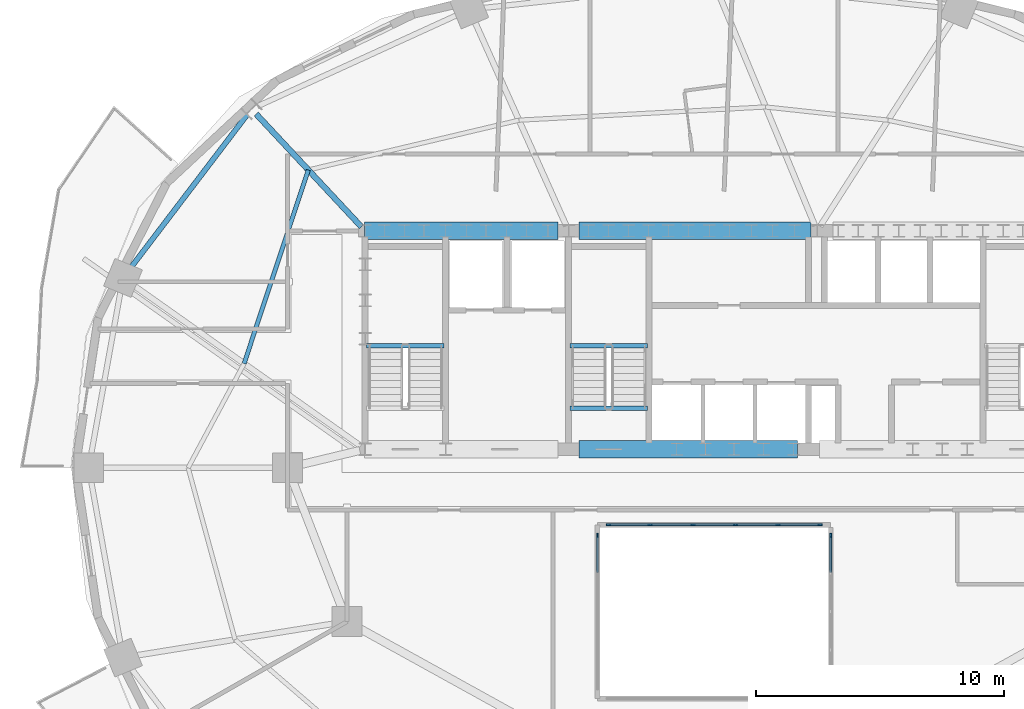
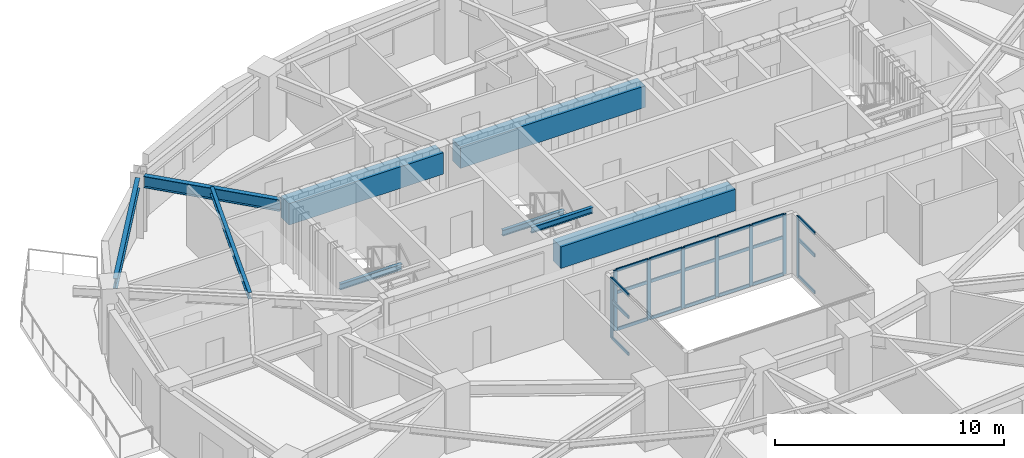
# One storey, part 3 of 13: 29 members, 9 beams, 3 elements without a shape of their own.
"""IFC4 building model written with IfcOpenShell, lengths in metres."""

from ifc_helpers import new_model, si_unit, direction, frame, origin, origin_2d, place, context, subcontext, project, spatial, rectangle, i_section, extrude, material, material_profile, profile_set, type_object, element, aggregate, save


model = new_model("IFC4")

# Units and contexts
model_context = context("Model", 3, precision=1e-05, world=origin(), true_north=direction((0.0, 1.0)))
body_context = subcontext(model_context, "Body", "Model", "MODEL_VIEW")
ifc_project = project(units=[si_unit("LENGTHUNIT", "METRE"), si_unit("AREAUNIT", "SQUARE_METRE"), si_unit("VOLUMEUNIT", "CUBIC_METRE"), si_unit("PLANEANGLEUNIT", "RADIAN"), si_unit("MASSUNIT", "GRAM", prefix="KILO")], contexts=[model_context])

# Site, building, storey
site_placement = place(None, origin())
site = spatial("IfcSite", under=ifc_project, at=site_placement, CompositionType="ELEMENT")
building_placement = place(site_placement, origin())
building = spatial("IfcBuilding", under=site, at=building_placement, Name="Haldorwick Loom Tower", CompositionType="ELEMENT")
storey_placement = place(building_placement, frame((0.0, 0.0, 139.10009765625)))
storey = spatial("IfcBuildingStorey", under=building, at=storey_placement, Name="L37", CompositionType="ELEMENT", Elevation=139.10009765625)

# Curtain wall, members
ifc_material_1 = material(Name="Thermally Broken Anodized Aluminium Curtain Wall Framing", Category="aluminium")
curtain_wall_type = type_object("IfcCurtainWallType", Name="ARC-CW-03", PredefinedType="NOTDEFINED", material=ifc_material_1)
curtain_wall_1_placement = place(storey_placement, origin())
curtain_wall_1 = element("IfcCurtainWall", 1, at=curtain_wall_1_placement, inside=storey, type_object=curtain_wall_type, Name="L37 Atrium Glazed Screen N", PredefinedType="NOTDEFINED")
ifc_material_profile_1 = material_profile(ifc_material_1, rectangle(XDim=0.06591796875, YDim=0.18505859375, at=origin_2d()), Name="ALU_MUL_66X185", Category="aluminium")
ifc_profile_set_1 = profile_set([ifc_material_profile_1], Name="Thermally Broken Anodized Aluminium Curtain Wall Framing")
member_type_1 = type_object("IfcMemberType", Name="ARC-CWM-03", PredefinedType="MULLION", material=ifc_profile_set_1)
member_1_placement = place(storey_placement, frame((31.73291015625, 23.699951171875, 0.0), z_axis=(0.0, 0.0, 1.0), x_axis=(0.0, 1.0, 0.0)))
member_1 = element("IfcMember", 2, at=member_1_placement, type_object=member_type_1, Name="CW-03 mullion 1", PredefinedType="MULLION", context=body_context, shape_type="SweptSolid", body=[
    extrude(rectangle(XDim=0.06591796875, YDim=0.18505859375, at=origin_2d()), origin(), (0.0, 0.0, 1.0), 3.2099609375),
])
member_2_placement = place(storey_placement, frame((33.419921875, 23.699951171875, 0.0), z_axis=(0.0, 0.0, 1.0), x_axis=(0.0, 1.0, 0.0)))
member_2 = element("IfcMember", 3, at=member_2_placement, type_object=member_type_1, Name="CW-03 mullion 2", PredefinedType="MULLION", context=body_context, shape_type="SweptSolid", body=[
    extrude(rectangle(XDim=0.06591796875, YDim=0.18505859375, at=origin_2d()), origin(), (0.0, 0.0, 1.0), 3.2099609375),
])
member_3_placement = place(storey_placement, frame((35.139892578125, 23.699951171875, 0.0), z_axis=(0.0, 0.0, 1.0), x_axis=(0.0, 1.0, 0.0)))
member_3 = element("IfcMember", 4, at=member_3_placement, type_object=member_type_1, Name="CW-03 mullion 3", PredefinedType="MULLION", context=body_context, shape_type="SweptSolid", body=[
    extrude(rectangle(XDim=0.06591796875, YDim=0.18505859375, at=origin_2d()), origin(), (0.0, 0.0, 1.0), 3.2099609375),
])
member_4_placement = place(storey_placement, frame((36.860107421875, 23.699951171875, 0.0), z_axis=(0.0, 0.0, 1.0), x_axis=(0.0, 1.0, 0.0)))
member_4 = element("IfcMember", 5, at=member_4_placement, type_object=member_type_1, Name="CW-03 mullion 4", PredefinedType="MULLION", context=body_context, shape_type="SweptSolid", body=[
    extrude(rectangle(XDim=0.06591796875, YDim=0.18505859375, at=origin_2d()), origin(), (0.0, 0.0, 1.0), 3.2099609375),
])
member_5_placement = place(storey_placement, frame((38.580078125, 23.699951171875, 0.0), z_axis=(0.0, 0.0, 1.0), x_axis=(0.0, 1.0, 0.0)))
member_5 = element("IfcMember", 6, at=member_5_placement, type_object=member_type_1, Name="CW-03 mullion 5", PredefinedType="MULLION", context=body_context, shape_type="SweptSolid", body=[
    extrude(rectangle(XDim=0.06591796875, YDim=0.18505859375, at=origin_2d()), origin(), (0.0, 0.0, 1.0), 3.2099609375),
])
member_6_placement = place(storey_placement, frame((40.26708984375, 23.699951171875, 0.0), z_axis=(0.0, 0.0, 1.0), x_axis=(0.0, 1.0, 0.0)))
member_6 = element("IfcMember", 7, at=member_6_placement, type_object=member_type_1, Name="CW-03 mullion 6", PredefinedType="MULLION", context=body_context, shape_type="SweptSolid", body=[
    extrude(rectangle(XDim=0.06591796875, YDim=0.18505859375, at=origin_2d()), origin(), (0.0, 0.0, 1.0), 3.2099609375),
])

# Curtain wall, member
curtain_wall_2_placement = place(storey_placement, origin())
curtain_wall_2 = element("IfcCurtainWall", 8, at=curtain_wall_2_placement, inside=storey, type_object=curtain_wall_type, Name="L37 Atrium Glazed Screen W", PredefinedType="NOTDEFINED")
member_7_placement = place(storey_placement, frame((31.300048828125, 23.26708984375, 0.0), z_axis=(0.0, 0.0, 1.0), x_axis=(-1.0, 0.0, 0.0)))
member_7 = element("IfcMember", 9, at=member_7_placement, type_object=member_type_1, Name="CW-03 mullion 5", PredefinedType="MULLION", context=body_context, shape_type="SweptSolid", body=[
    extrude(rectangle(XDim=0.06591796875, YDim=0.18505859375, at=origin_2d()), origin(), (0.0, 0.0, 1.0), 3.2099609375),
])

curtain_wall_3_placement = place(storey_placement, origin())
curtain_wall_3 = element("IfcCurtainWall", 10, at=curtain_wall_3_placement, inside=storey, type_object=curtain_wall_type, Name="L37 Atrium Glazed Screen E", PredefinedType="NOTDEFINED")
member_8_placement = place(storey_placement, frame((40.699951171875, 23.26708984375, 0.0), z_axis=(0.0, 0.0, 1.0), x_axis=(1.0, 0.0, 0.0)))
member_8 = element("IfcMember", 11, at=member_8_placement, type_object=member_type_1, Name="CW-03 mullion 1", PredefinedType="MULLION", context=body_context, shape_type="SweptSolid", body=[
    extrude(rectangle(XDim=0.06591796875, YDim=0.18505859375, at=origin_2d()), origin(), (0.0, 0.0, 1.0), 3.2099609375),
])

# Member
ifc_material_profile_2 = material_profile(ifc_material_1, rectangle(XDim=0.06591796875, YDim=0.1650390625, at=origin_2d()), Name="ALU_TRN_66X165", Category="aluminium")
ifc_profile_set_2 = profile_set([ifc_material_profile_2], Name="Thermally Broken Anodized Aluminium Curtain Wall Framing")
member_type_2 = type_object("IfcMemberType", Name="ARC-CWT-03", PredefinedType="USERDEFINED", material=ifc_profile_set_2)
member_9_placement = place(storey_placement, frame((31.76611328125, 23.699951171875, 0.032958984375), z_axis=(1.0, 0.0, 0.0), x_axis=(0.0, 1.0, 0.0)))
member_9 = element("IfcMember", 12, at=member_9_placement, type_object=member_type_2, Name="CW-03 transom 1.1", ObjectType="TRANSOM", PredefinedType="USERDEFINED", context=body_context, shape_type="SweptSolid", body=[
    extrude(rectangle(XDim=0.06591796875, YDim=0.1650390625, at=origin_2d()), origin(), (0.0, 0.0, 1.0), 1.620849609375),
])

member_10_placement = place(storey_placement, frame((31.76611328125, 23.699951171875, 2.0), z_axis=(1.0, 0.0, 0.0), x_axis=(0.0, 1.0, 0.0)))
member_10 = element("IfcMember", 13, at=member_10_placement, type_object=member_type_2, Name="CW-03 transom 1.2", ObjectType="TRANSOM", PredefinedType="USERDEFINED", context=body_context, shape_type="SweptSolid", body=[
    extrude(rectangle(XDim=0.06591796875, YDim=0.1650390625, at=origin_2d()), origin(), (0.0, 0.0, 1.0), 1.620849609375),
])

member_11_placement = place(storey_placement, frame((31.76611328125, 23.699951171875, 3.177001953125), z_axis=(1.0, 0.0, 0.0), x_axis=(0.0, 1.0, 0.0)))
member_11 = element("IfcMember", 14, at=member_11_placement, type_object=member_type_2, Name="CW-03 transom 1.3", ObjectType="TRANSOM", PredefinedType="USERDEFINED", context=body_context, shape_type="SweptSolid", body=[
    extrude(rectangle(XDim=0.06591796875, YDim=0.1650390625, at=origin_2d()), origin(), (0.0, 0.0, 1.0), 1.620849609375),
])

member_12_placement = place(storey_placement, frame((33.452880859375, 23.699951171875, 0.032958984375), z_axis=(1.0, 0.0, 0.0), x_axis=(0.0, 1.0, 0.0)))
member_12 = element("IfcMember", 15, at=member_12_placement, type_object=member_type_2, Name="CW-03 transom 2.1", ObjectType="TRANSOM", PredefinedType="USERDEFINED", context=body_context, shape_type="SweptSolid", body=[
    extrude(rectangle(XDim=0.06591796875, YDim=0.1650390625, at=origin_2d()), origin(), (0.0, 0.0, 1.0), 1.654052734375),
])

member_13_placement = place(storey_placement, frame((33.452880859375, 23.699951171875, 2.0), z_axis=(1.0, 0.0, 0.0), x_axis=(0.0, 1.0, 0.0)))
member_13 = element("IfcMember", 16, at=member_13_placement, type_object=member_type_2, Name="CW-03 transom 2.2", ObjectType="TRANSOM", PredefinedType="USERDEFINED", context=body_context, shape_type="SweptSolid", body=[
    extrude(rectangle(XDim=0.06591796875, YDim=0.1650390625, at=origin_2d()), origin(), (0.0, 0.0, 1.0), 1.654052734375),
])

member_14_placement = place(storey_placement, frame((33.452880859375, 23.699951171875, 3.177001953125), z_axis=(1.0, 0.0, 0.0), x_axis=(0.0, 1.0, 0.0)))
member_14 = element("IfcMember", 17, at=member_14_placement, type_object=member_type_2, Name="CW-03 transom 2.3", ObjectType="TRANSOM", PredefinedType="USERDEFINED", context=body_context, shape_type="SweptSolid", body=[
    extrude(rectangle(XDim=0.06591796875, YDim=0.1650390625, at=origin_2d()), origin(), (0.0, 0.0, 1.0), 1.654052734375),
])

member_15_placement = place(storey_placement, frame((35.173095703125, 23.699951171875, 0.032958984375), z_axis=(1.0, 0.0, 0.0), x_axis=(0.0, 1.0, 0.0)))
member_15 = element("IfcMember", 18, at=member_15_placement, type_object=member_type_2, Name="CW-03 transom 3.1", ObjectType="TRANSOM", PredefinedType="USERDEFINED", context=body_context, shape_type="SweptSolid", body=[
    extrude(rectangle(XDim=0.06591796875, YDim=0.1650390625, at=origin_2d()), origin(), (0.0, 0.0, 1.0), 1.65380859375),
])

member_16_placement = place(storey_placement, frame((35.173095703125, 23.699951171875, 2.0), z_axis=(1.0, 0.0, 0.0), x_axis=(0.0, 1.0, 0.0)))
member_16 = element("IfcMember", 19, at=member_16_placement, type_object=member_type_2, Name="CW-03 transom 3.2", ObjectType="TRANSOM", PredefinedType="USERDEFINED", context=body_context, shape_type="SweptSolid", body=[
    extrude(rectangle(XDim=0.06591796875, YDim=0.1650390625, at=origin_2d()), origin(), (0.0, 0.0, 1.0), 1.65380859375),
])

member_17_placement = place(storey_placement, frame((35.173095703125, 23.699951171875, 3.177001953125), z_axis=(1.0, 0.0, 0.0), x_axis=(0.0, 1.0, 0.0)))
member_17 = element("IfcMember", 20, at=member_17_placement, type_object=member_type_2, Name="CW-03 transom 3.3", ObjectType="TRANSOM", PredefinedType="USERDEFINED", context=body_context, shape_type="SweptSolid", body=[
    extrude(rectangle(XDim=0.06591796875, YDim=0.1650390625, at=origin_2d()), origin(), (0.0, 0.0, 1.0), 1.65380859375),
])

member_18_placement = place(storey_placement, frame((36.89306640625, 23.699951171875, 0.032958984375), z_axis=(1.0, 0.0, 0.0), x_axis=(0.0, 1.0, 0.0)))
member_18 = element("IfcMember", 21, at=member_18_placement, type_object=member_type_2, Name="CW-03 transom 4.1", ObjectType="TRANSOM", PredefinedType="USERDEFINED", context=body_context, shape_type="SweptSolid", body=[
    extrude(rectangle(XDim=0.06591796875, YDim=0.1650390625, at=origin_2d()), origin(), (0.0, 0.0, 1.0), 1.654052734375),
])

member_19_placement = place(storey_placement, frame((36.89306640625, 23.699951171875, 2.0), z_axis=(1.0, 0.0, 0.0), x_axis=(0.0, 1.0, 0.0)))
member_19 = element("IfcMember", 22, at=member_19_placement, type_object=member_type_2, Name="CW-03 transom 4.2", ObjectType="TRANSOM", PredefinedType="USERDEFINED", context=body_context, shape_type="SweptSolid", body=[
    extrude(rectangle(XDim=0.06591796875, YDim=0.1650390625, at=origin_2d()), origin(), (0.0, 0.0, 1.0), 1.654052734375),
])

member_20_placement = place(storey_placement, frame((36.89306640625, 23.699951171875, 3.177001953125), z_axis=(1.0, 0.0, 0.0), x_axis=(0.0, 1.0, 0.0)))
member_20 = element("IfcMember", 23, at=member_20_placement, type_object=member_type_2, Name="CW-03 transom 4.3", ObjectType="TRANSOM", PredefinedType="USERDEFINED", context=body_context, shape_type="SweptSolid", body=[
    extrude(rectangle(XDim=0.06591796875, YDim=0.1650390625, at=origin_2d()), origin(), (0.0, 0.0, 1.0), 1.654052734375),
])

member_21_placement = place(storey_placement, frame((38.613037109375, 23.699951171875, 0.032958984375), z_axis=(1.0, 0.0, 0.0), x_axis=(0.0, 1.0, 0.0)))
member_21 = element("IfcMember", 24, at=member_21_placement, type_object=member_type_2, Name="CW-03 transom 5.1", ObjectType="TRANSOM", PredefinedType="USERDEFINED", context=body_context, shape_type="SweptSolid", body=[
    extrude(rectangle(XDim=0.06591796875, YDim=0.1650390625, at=origin_2d()), origin(), (0.0, 0.0, 1.0), 1.620849609375),
])

member_22_placement = place(storey_placement, frame((38.613037109375, 23.699951171875, 2.0), z_axis=(1.0, 0.0, 0.0), x_axis=(0.0, 1.0, 0.0)))
member_22 = element("IfcMember", 25, at=member_22_placement, type_object=member_type_2, Name="CW-03 transom 5.2", ObjectType="TRANSOM", PredefinedType="USERDEFINED", context=body_context, shape_type="SweptSolid", body=[
    extrude(rectangle(XDim=0.06591796875, YDim=0.1650390625, at=origin_2d()), origin(), (0.0, 0.0, 1.0), 1.620849609375),
])

member_23_placement = place(storey_placement, frame((38.613037109375, 23.699951171875, 3.177001953125), z_axis=(1.0, 0.0, 0.0), x_axis=(0.0, 1.0, 0.0)))
member_23 = element("IfcMember", 26, at=member_23_placement, type_object=member_type_2, Name="CW-03 transom 5.3", ObjectType="TRANSOM", PredefinedType="USERDEFINED", context=body_context, shape_type="SweptSolid", body=[
    extrude(rectangle(XDim=0.06591796875, YDim=0.1650390625, at=origin_2d()), origin(), (0.0, 0.0, 1.0), 1.620849609375),
])

aggregate(curtain_wall_1, [member_1, member_2, member_3, member_4, member_5, member_6, member_9, member_10, member_11, member_12, member_13, member_14, member_15, member_16, member_17, member_18, member_19, member_20, member_21, member_22, member_23])

member_24_placement = place(storey_placement, frame((31.300048828125, 21.782958984375, 0.032958984375), z_axis=(0.0, 1.0, 0.0), x_axis=(-1.0, 0.0, 0.0)))
member_24 = element("IfcMember", 27, at=member_24_placement, type_object=member_type_2, Name="CW-03 transom 4.1", ObjectType="TRANSOM", PredefinedType="USERDEFINED", context=body_context, shape_type="SweptSolid", body=[
    extrude(rectangle(XDim=0.06591796875, YDim=0.1650390625, at=origin_2d()), origin(), (0.0, 0.0, 1.0), 1.450927734375),
])

member_25_placement = place(storey_placement, frame((31.300048828125, 21.782958984375, 2.0), z_axis=(0.0, 1.0, 0.0), x_axis=(-1.0, 0.0, 0.0)))
member_25 = element("IfcMember", 28, at=member_25_placement, type_object=member_type_2, Name="CW-03 transom 4.2", ObjectType="TRANSOM", PredefinedType="USERDEFINED", context=body_context, shape_type="SweptSolid", body=[
    extrude(rectangle(XDim=0.06591796875, YDim=0.1650390625, at=origin_2d()), origin(), (0.0, 0.0, 1.0), 1.450927734375),
])

member_26_placement = place(storey_placement, frame((31.300048828125, 21.782958984375, 3.177001953125), z_axis=(0.0, 1.0, 0.0), x_axis=(-1.0, 0.0, 0.0)))
member_26 = element("IfcMember", 29, at=member_26_placement, type_object=member_type_2, Name="CW-03 transom 4.3", ObjectType="TRANSOM", PredefinedType="USERDEFINED", context=body_context, shape_type="SweptSolid", body=[
    extrude(rectangle(XDim=0.06591796875, YDim=0.1650390625, at=origin_2d()), origin(), (0.0, 0.0, 1.0), 1.450927734375),
])

aggregate(curtain_wall_2, [member_7, member_24, member_25, member_26])

member_27_placement = place(storey_placement, frame((40.699951171875, 23.23388671875, 0.032958984375), z_axis=(0.0, -1.0, 0.0), x_axis=(1.0, 0.0, 0.0)))
member_27 = element("IfcMember", 30, at=member_27_placement, type_object=member_type_2, Name="CW-03 transom 1.1", ObjectType="TRANSOM", PredefinedType="USERDEFINED", context=body_context, shape_type="SweptSolid", body=[
    extrude(rectangle(XDim=0.06591796875, YDim=0.1650390625, at=origin_2d()), origin(), (0.0, 0.0, 1.0), 1.450927734375),
])

member_28_placement = place(storey_placement, frame((40.699951171875, 23.23388671875, 2.0), z_axis=(0.0, -1.0, 0.0), x_axis=(1.0, 0.0, 0.0)))
member_28 = element("IfcMember", 31, at=member_28_placement, type_object=member_type_2, Name="CW-03 transom 1.2", ObjectType="TRANSOM", PredefinedType="USERDEFINED", context=body_context, shape_type="SweptSolid", body=[
    extrude(rectangle(XDim=0.06591796875, YDim=0.1650390625, at=origin_2d()), origin(), (0.0, 0.0, 1.0), 1.450927734375),
])

member_29_placement = place(storey_placement, frame((40.699951171875, 23.23388671875, 3.177001953125), z_axis=(0.0, -1.0, 0.0), x_axis=(1.0, 0.0, 0.0)))
member_29 = element("IfcMember", 32, at=member_29_placement, type_object=member_type_2, Name="CW-03 transom 1.3", ObjectType="TRANSOM", PredefinedType="USERDEFINED", context=body_context, shape_type="SweptSolid", body=[
    extrude(rectangle(XDim=0.06591796875, YDim=0.1650390625, at=origin_2d()), origin(), (0.0, 0.0, 1.0), 1.450927734375),
])

aggregate(curtain_wall_3, [member_8, member_27, member_28, member_29])

# Beams
ifc_material_2 = material(Name="Concrete C60 (60 MPa)", Category="concrete")
ifc_material_profile_3 = material_profile(ifc_material_2, rectangle(XDim=0.699951171875, YDim=1.14990234375, at=origin_2d()), Name="RC700X1150", Category="concrete")
ifc_profile_set_3 = profile_set([ifc_material_profile_3], Name="Concrete C60 (60 MPa)")
beam_type_1 = type_object("IfcBeamType", Name="STR-BM-CB1150", PredefinedType="LINTEL", material=ifc_profile_set_3)
beam_1_placement = place(storey_placement, frame((21.89990234375, 35.550048828125, 2.635009765625), z_axis=(1.0, 0.0, 0.0), x_axis=(0.0, 1.0, 0.0)))
element("IfcBeam", 33, at=beam_1_placement, inside=storey, type_object=beam_type_1, Name="L37 Core Coupling Beam CB-N1", PredefinedType="LINTEL", context=body_context, shape_type="SweptSolid", body=[
    extrude(rectangle(XDim=0.699951171875, YDim=1.14990234375, at=origin_2d()), origin(), (0.0, 0.0, 1.0), 7.800048828125),
])
beam_2_placement = place(storey_placement, frame((30.550048828125, 35.550048828125, 2.635009765625), z_axis=(1.0, 0.0, 0.0), x_axis=(0.0, 1.0, 0.0)))
element("IfcBeam", 34, at=beam_2_placement, inside=storey, type_object=beam_type_1, Name="L37 Core Coupling Beam CB-N2", PredefinedType="LINTEL", context=body_context, shape_type="SweptSolid", body=[
    extrude(rectangle(XDim=0.699951171875, YDim=1.14990234375, at=origin_2d()), origin(), (0.0, 0.0, 1.0), 9.349853515625),
])
beam_3_placement = place(storey_placement, frame((30.550048828125, 26.75, 2.635009765625), z_axis=(1.0, 0.0, 0.0), x_axis=(0.0, 1.0, 0.0)))
element("IfcBeam", 35, at=beam_3_placement, inside=storey, type_object=beam_type_1, Name="L37 Core Coupling Beam CB-S2", PredefinedType="LINTEL", context=body_context, shape_type="SweptSolid", body=[
    extrude(rectangle(XDim=0.699951171875, YDim=1.14990234375, at=origin_2d()), origin(), (0.0, 0.0, 1.0), 8.800048828125),
])
ifc_material_3 = material(Name="Steel CSA G40.21 350W", Category="steel")
ifc_material_profile_4 = material_profile(ifc_material_3, i_section(OverallWidth=0.172119140625, OverallDepth=0.35791015625, WebThickness=0.0078125, FlangeThickness=0.01318359375, at=origin_2d()), Name="W360X57", Category="steel")
ifc_profile_set_4 = profile_set([ifc_material_profile_4], Name="Steel CSA G40.21 350W")
beam_type_2 = type_object("IfcBeamType", Name="STR-BM-J360", PredefinedType="JOIST", material=ifc_profile_set_4)
beam_4_placement = place(storey_placement, frame((19.63720703125, 38.007080078125, 3.031005859375), z_axis=(-0.314980632705, -0.949098098734, 0.0), x_axis=(0.949098098734, -0.314980632705, 0.0)))
element("IfcBeam", 36, at=beam_4_placement, inside=storey, type_object=beam_type_2, Name="L37 Mid-Bay Secondary Joist 7", PredefinedType="JOIST", context=body_context, shape_type="SweptSolid", body=[
    extrude(i_section(OverallWidth=0.172119140625, OverallDepth=0.35791015625, WebThickness=0.0078125, FlangeThickness=0.01318359375, at=origin_2d()), origin(), (0.0, 0.0, 1.0), 8.223876953125),
])
ifc_material_profile_5 = material_profile(ifc_material_3, i_section(OverallWidth=0.2119140625, OverallDepth=0.5439453125, WebThickness=0.01318359375, FlangeThickness=0.021240234375, at=origin_2d()), Name="W530X123", Category="steel")
ifc_profile_set_5 = profile_set([ifc_material_profile_5], Name="Steel CSA G40.21 350W")
beam_type_3 = type_object("IfcBeamType", Name="STR-BM-SP530", PredefinedType="SPANDREL", material=ifc_profile_set_5)
beam_5_placement = place(storey_placement, frame((17.177978515625, 40.245361328125, 2.93798828125), z_axis=(-0.605421356486, -0.795905133236, 0.0), x_axis=(0.795905133236, -0.605421356486, 0.0)))
element("IfcBeam", 37, at=beam_5_placement, inside=storey, type_object=beam_type_3, Name="L37 Perimeter Spandrel 7", PredefinedType="SPANDREL", context=body_context, shape_type="SweptSolid", body=[
    extrude(i_section(OverallWidth=0.2119140625, OverallDepth=0.5439453125, WebThickness=0.01318359375, FlangeThickness=0.021240234375, at=origin_2d()), origin(), (0.0, 0.0, 1.0), 7.761962890625),
])
ifc_material_profile_6 = material_profile(ifc_material_3, i_section(OverallWidth=0.166015625, OverallDepth=0.31298828125, WebThickness=0.006591796875, FlangeThickness=0.01123046875, at=origin_2d()), Name="W310X45", Category="steel")
ifc_profile_set_6 = profile_set([ifc_material_profile_6], Name="Steel CSA G40.21 350W")
beam_type_4 = type_object("IfcBeamType", Name="STR-BM-STRM", PredefinedType="BEAM", material=ifc_profile_set_6)
for number, where, z_axis, x_axis, name in (
    (38, (21.989990234375, 30.919921875, 1.368408203125), (1.0, 0.0, 0.0), (0.0, 1.0, 0.0), "L37 Stair ST-01 Half-Landing Trimmer 1"),
    (39, (30.18994140625, 28.39990234375, 3.053466796875), (1.0, 0.0, 0.0), (0.0, 1.0, 0.0), "L37 Stair ST-03 Landing Edge Trimmer"),
    (40, (30.18994140625, 30.919921875, 1.368408203125), (1.0, 0.0, 0.0), (0.0, 1.0, 0.0), "L37 Stair ST-03 Half-Landing Trimmer 1"),
):
    element("IfcBeam", number, at=place(storey_placement, frame(where, z_axis=z_axis, x_axis=x_axis)), inside=storey, type_object=beam_type_4, Name=name, PredefinedType="BEAM", context=body_context, shape_type="SweptSolid", body=[
        extrude(i_section(OverallWidth=0.166015625, OverallDepth=0.31298828125, WebThickness=0.006591796875, FlangeThickness=0.01123046875, at=origin_2d()), origin(), (0.0, 0.0, 1.0), 3.1201171875),
    ])
ifc_material_profile_7 = material_profile(ifc_material_3, i_section(OverallWidth=0.22998046875, OverallDepth=0.616943359375, WebThickness=0.01318359375, FlangeThickness=0.022216796875, at=origin_2d()), Name="W610X140", Category="steel")
ifc_profile_set_7 = profile_set([ifc_material_profile_7], Name="Steel CSA G40.21 350W")
beam_type_5 = type_object("IfcBeamType", Name="STR-BM-W610B", PredefinedType="BEAM", material=ifc_profile_set_7)
beam_6_placement = place(storey_placement, frame((21.776611328125, 35.714599609375, 2.9013671875), z_axis=(-0.682256728841, 0.731112683484, 0.0), x_axis=(-0.731112683484, -0.682256728841, 0.0)))
element("IfcBeam", 41, at=beam_6_placement, inside=storey, type_object=beam_type_5, Name="L37 Radial Floor Girder 7", PredefinedType="BEAM", context=body_context, shape_type="SweptSolid", body=[
    extrude(i_section(OverallWidth=0.22998046875, OverallDepth=0.616943359375, WebThickness=0.01318359375, FlangeThickness=0.022216796875, at=origin_2d()), origin(), (0.0, 0.0, 1.0), 6.221435546875),
])

save(model, "model.ifc")
